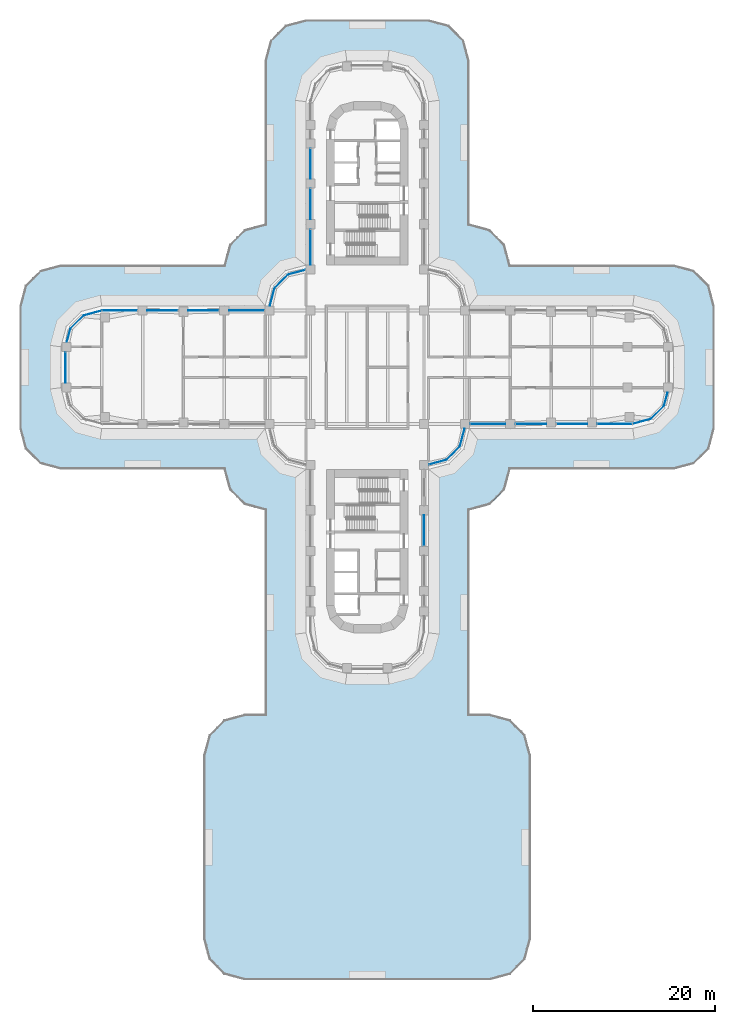
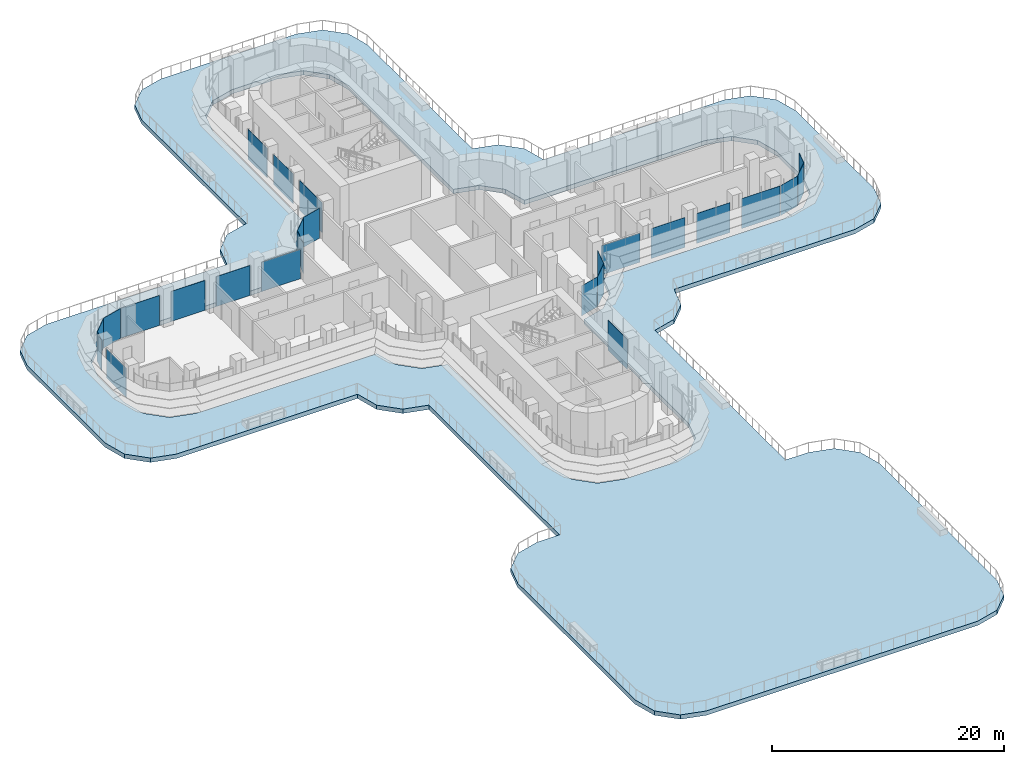
# One storey, part 13 of 26: 25 plates, 1 slab, 17 elements without a shape of their own.
"""IFC4 building model written with IfcOpenShell, lengths in metres."""

from ifc_helpers import new_model, si_unit, direction, frame, origin, place, context, subcontext, project, spatial, polyline, outline, extrude, source, transform, mapped, material, layer, layer_set, type_object, element, aggregate, save


model = new_model("IFC4")

# Units and contexts
model_context = context("Model", 3, precision=1e-05, world=origin(), true_north=direction((0.0, 1.0)))
body_context = subcontext(model_context, "Body", "Model", "MODEL_VIEW")
ifc_project = project(units=[si_unit("LENGTHUNIT", "METRE"), si_unit("AREAUNIT", "SQUARE_METRE"), si_unit("VOLUMEUNIT", "CUBIC_METRE"), si_unit("PLANEANGLEUNIT", "RADIAN"), si_unit("MASSUNIT", "GRAM", prefix="KILO")], contexts=[model_context])

# Site, building, storey
site_placement = place(None, origin())
site = spatial("IfcSite", under=ifc_project, at=site_placement, CompositionType="ELEMENT")
building_placement = place(site_placement, origin())
building = spatial("IfcBuilding", under=site, at=building_placement, Name="Zarbagh Exchange Tower", CompositionType="ELEMENT")
storey_placement = place(building_placement, frame((0.0, 0.0, 27.0)))
storey = spatial("IfcBuildingStorey", under=building, at=storey_placement, Name="L05", CompositionType="ELEMENT", Elevation=27.0)

# Slab
ifc_material_1 = material(Name="Concrete C50/60", Category="concrete")
ifc_layer_1 = layer(ifc_material_1, 0.449951171875)
ifc_layer_set_1 = layer_set([ifc_layer_1], Name="Podium terrace roof slab 450 C50/60")
slab_type = type_object("IfcSlabType", Name="Podium terrace roof slab 450 C50/60", PredefinedType="ROOF", material=ifc_layer_set_1)
slab_placement = place(storey_placement, frame((0.0, 0.0, -0.449951171875)))
element("IfcSlab", 1, at=slab_placement, inside=storey, type_object=slab_type, Name="S8 podium terrace roof slab", PredefinedType="ROOF", context=body_context, shape_type="SweptSolid", body=[
    extrude(outline(polyline([(17.397216796875, -65.25), (15.75, -66.897216796875), (13.5, -67.5), (-13.5, -67.5), (-15.75, -66.897216796875), (-17.397216796875, -65.25), (-18.0, -63.0), (-18.0, -42.75), (-17.397216796875, -40.5), (-15.75, -38.852783203125), (-13.5, -38.25), (-11.25, -38.25), (-11.25, -15.75), (-13.5, -15.147216796875), (-15.147216796875, -13.5), (-15.75, -11.25), (-33.75, -11.25), (-36.0, -10.647216796875), (-37.647216796875, -9.0), (-38.25, -6.75), (-38.25, 6.75), (-37.647216796875, 9.0), (-36.0, 10.647216796875), (-33.75, 11.25), (-15.75, 11.25), (-15.147216796875, 13.5), (-13.5, 15.147216796875), (-11.25, 15.75), (-11.25, 33.75), (-10.647216796875, 36.0), (-9.0, 37.647216796875), (-6.75, 38.25), (6.75, 38.25), (9.0, 37.647216796875), (10.647216796875, 36.0), (11.25, 33.75), (11.25, 15.75), (13.5, 15.147216796875), (15.147216796875, 13.5), (15.75, 11.25), (33.75, 11.25), (36.0, 10.647216796875), (37.647216796875, 9.0), (38.25, 6.75), (38.25, -6.75), (37.647216796875, -9.0), (36.0, -10.647216796875), (33.75, -11.25), (15.75, -11.25), (15.147216796875, -13.5), (13.5, -15.147216796875), (11.25, -15.75), (11.25, -38.25), (13.5, -38.25), (15.75, -38.852783203125), (17.397216796875, -40.5), (18.0, -42.75), (18.0, -63.0), (17.397216796875, -65.25)]), holes=[polyline([(4.512939453125, -33.16943359375), (6.16943359375, -31.512939453125), (6.77490234375, -29.25341796875), (6.77490234375, -11.269287109375), (9.012939453125, -10.66943359375), (10.66943359375, -9.012939453125), (11.269287109375, -6.77490234375), (29.25341796875, -6.77490234375), (31.512939453125, -6.16943359375), (33.16943359375, -4.512939453125), (33.77490234375, -2.25341796875), (33.77490234375, 2.25341796875), (33.16943359375, 4.512939453125), (31.512939453125, 6.16943359375), (29.25341796875, 6.77490234375), (11.269287109375, 6.77490234375), (10.66943359375, 9.012939453125), (9.012939453125, 10.66943359375), (6.77490234375, 11.269287109375), (6.77490234375, 29.25341796875), (6.16943359375, 31.512939453125), (4.512939453125, 33.16943359375), (2.25341796875, 33.77490234375), (-2.25341796875, 33.77490234375), (-4.512939453125, 33.16943359375), (-6.16943359375, 31.512939453125), (-6.77490234375, 29.25341796875), (-6.77490234375, 11.269287109375), (-9.012939453125, 10.66943359375), (-10.66943359375, 9.012939453125), (-11.269287109375, 6.77490234375), (-29.25341796875, 6.77490234375), (-31.512939453125, 6.16943359375), (-33.16943359375, 4.512939453125), (-33.77490234375, 2.25341796875), (-33.77490234375, -2.25341796875), (-33.16943359375, -4.512939453125), (-31.512939453125, -6.16943359375), (-29.25341796875, -6.77490234375), (-11.269287109375, -6.77490234375), (-10.66943359375, -9.012939453125), (-9.012939453125, -10.66943359375), (-6.77490234375, -11.269287109375), (-6.77490234375, -29.25341796875), (-6.16943359375, -31.512939453125), (-4.512939453125, -33.16943359375), (-2.25341796875, -33.77490234375), (2.25341796875, -33.77490234375), (4.512939453125, -33.16943359375)])]), origin(), (0.0, 0.0, 1.0), 0.449951171875),
])

# Curtain wall, plate
ifc_material_2 = material(Name="Anodised aluminium frame and glazing", Category="aluminium")
curtain_wall_type = type_object("IfcCurtainWallType", Name="CWA Ribbon glazing, lower zones", PredefinedType="NOTDEFINED", material=ifc_material_2)
curtain_wall_1_placement = place(storey_placement, origin())
curtain_wall_1 = element("IfcCurtainWall", 2, at=curtain_wall_1_placement, inside=storey, type_object=curtain_wall_type, Name="CWA06 curtain wall", PredefinedType="NOTDEFINED")
ifc_material_3 = material(Name="Low-e double glazed unit, 6+12+6 mm")
ifc_layer_2 = layer(ifc_material_3, 0.028076171875)
ifc_layer_set_2 = layer_set([ifc_layer_2], Name="PAA Glazing panel, Low-e double glazed unit, 6+12+6 mm")
plate_type = type_object("IfcPlateType", Name="PAA Glazing panel, Low-e double glazed unit, 6+12+6 mm", PredefinedType="CURTAIN_PANEL", material=ifc_layer_set_2)
shared_shape_1 = source(origin(), body_context, "Body", "SweptSolid", [
    extrude(outline(polyline([(0.0, -0.013916015625), (2.061279296875, -0.013916015625), (2.061279296875, 0.013916015625), (0.0, 0.013916015625), (0.0, -0.013916015625)])), origin(), (0.0, 0.0, 1.0), 3.14990234375),
])
placement = place(storey_placement, origin())
plate_1 = element("IfcPlate", 3, at=placement, type_object=plate_type, Name="CWA06 glazing panel 1.1", PredefinedType="CURTAIN_PANEL", context=body_context, shape_type="MappedRepresentation", body=[
    mapped(shared_shape_1, transform((8.7412109375, -10.19873046875, 0.0), x_axis=(0.707106781187, 0.707106781187, 0.0), y_axis=(-0.707106781187, 0.707106781187, 0.0), z_axis=(0.0, 0.0, 1.0))),
])
aggregate(curtain_wall_1, [plate_1])

curtain_wall_2_placement = place(storey_placement, origin())
curtain_wall_2 = element("IfcCurtainWall", 4, at=curtain_wall_2_placement, inside=storey, type_object=curtain_wall_type, Name="CWA10 curtain wall", PredefinedType="NOTDEFINED")
plate_2 = element("IfcPlate", 5, at=placement, type_object=plate_type, Name="CWA10 glazing panel 1.1", PredefinedType="CURTAIN_PANEL", context=body_context, shape_type="MappedRepresentation", body=[
    mapped(shared_shape_1, transform((31.2412109375, -5.69873046875, 0.0), x_axis=(0.707106781187, 0.707106781187, 0.0), y_axis=(-0.707106781187, 0.707106781187, 0.0), z_axis=(0.0, 0.0, 1.0))),
])
aggregate(curtain_wall_2, [plate_2])

curtain_wall_3_placement = place(storey_placement, origin())
curtain_wall_3 = element("IfcCurtainWall", 6, at=curtain_wall_3_placement, inside=storey, type_object=curtain_wall_type, Name="CWA30 curtain wall", PredefinedType="NOTDEFINED")
plate_3 = element("IfcPlate", 7, at=placement, type_object=plate_type, Name="CWA30 glazing panel 1.1", PredefinedType="CURTAIN_PANEL", context=body_context, shape_type="MappedRepresentation", body=[
    mapped(shared_shape_1, transform((-8.7412109375, 10.19873046875, 0.0), x_axis=(-0.707106781187, -0.707106781187, 0.0), y_axis=(0.707106781187, -0.707106781187, 0.0), z_axis=(0.0, 0.0, 1.0))),
])
aggregate(curtain_wall_3, [plate_3])

curtain_wall_4_placement = place(storey_placement, origin())
curtain_wall_4 = element("IfcCurtainWall", 8, at=curtain_wall_4_placement, inside=storey, type_object=curtain_wall_type, Name="CWA34 curtain wall", PredefinedType="NOTDEFINED")
plate_4 = element("IfcPlate", 9, at=placement, type_object=plate_type, Name="CWA34 glazing panel 1.1", PredefinedType="CURTAIN_PANEL", context=body_context, shape_type="MappedRepresentation", body=[
    mapped(shared_shape_1, transform((-31.2412109375, 5.69873046875, 0.0), x_axis=(-0.707106781187, -0.707106781187, 0.0), y_axis=(0.707106781187, -0.707106781187, 0.0), z_axis=(0.0, 0.0, 1.0))),
])
aggregate(curtain_wall_4, [plate_4])

curtain_wall_5_placement = place(storey_placement, origin())
curtain_wall_5 = element("IfcCurtainWall", 10, at=curtain_wall_5_placement, inside=storey, type_object=curtain_wall_type, Name="CWA28 curtain wall", PredefinedType="NOTDEFINED")
shared_shape_2 = source(origin(), body_context, "Body", "SweptSolid", [
    extrude(outline(polyline([(0.0, -0.013916015625), (3.260009765625, -0.013916015625), (3.260009765625, 0.013916015625), (0.0, 0.013916015625), (0.0, -0.013916015625)])), origin(), (0.0, 0.0, 1.0), 3.14990234375),
])
plate_5 = element("IfcPlate", 11, at=placement, type_object=plate_type, Name="CWA28 glazing panel 3.1", PredefinedType="CURTAIN_PANEL", context=body_context, shape_type="MappedRepresentation", body=[
    mapped(shared_shape_2, transform((-6.25, 24.050048828125, 0.0), x_axis=(0.0, -1.0, 0.0), y_axis=(1.0, 0.0, 0.0), z_axis=(0.0, 0.0, 1.0))),
])

curtain_wall_6_placement = place(storey_placement, origin())
curtain_wall_6 = element("IfcCurtainWall", 12, at=curtain_wall_6_placement, inside=storey, type_object=curtain_wall_type, Name="CWA04 curtain wall", PredefinedType="NOTDEFINED")
shared_shape_3 = source(origin(), body_context, "Body", "SweptSolid", [
    extrude(outline(polyline([(0.0, -0.013916015625), (3.360107421875, -0.013916015625), (3.360107421875, 0.013916015625), (0.0, 0.013916015625), (0.0, -0.013916015625)])), origin(), (0.0, 0.0, 1.0), 3.14990234375),
])
plate_6 = element("IfcPlate", 13, at=placement, type_object=plate_type, Name="CWA04 glazing panel 4.1", PredefinedType="CURTAIN_PANEL", context=body_context, shape_type="MappedRepresentation", body=[
    mapped(shared_shape_3, transform((6.25, -19.64990234375, 0.0), x_axis=(0.0, 1.0, 0.0), y_axis=(-1.0, 0.0, 0.0), z_axis=(0.0, 0.0, 1.0))),
])
aggregate(curtain_wall_6, [plate_6])

# Curtain wall, plates
curtain_wall_7_placement = place(storey_placement, origin())
curtain_wall_7 = element("IfcCurtainWall", 14, at=curtain_wall_7_placement, inside=storey, type_object=curtain_wall_type, Name="CWA08 curtain wall", PredefinedType="NOTDEFINED")
plate_7 = element("IfcPlate", 15, at=placement, type_object=plate_type, Name="CWA08 glazing panel 2.1", PredefinedType="CURTAIN_PANEL", context=body_context, shape_type="MappedRepresentation", body=[
    mapped(shared_shape_3, transform((16.35009765625, -6.25, 0.0), x_axis=(1.0, 0.0, 0.0), y_axis=(0.0, 1.0, 0.0), z_axis=(0.0, 0.0, 1.0))),
])
plate_8 = element("IfcPlate", 16, at=placement, type_object=plate_type, Name="CWA08 glazing panel 3.1", PredefinedType="CURTAIN_PANEL", context=body_context, shape_type="MappedRepresentation", body=[
    mapped(shared_shape_3, transform((20.85009765625, -6.25, 0.0), x_axis=(1.0, 0.0, 0.0), y_axis=(0.0, 1.0, 0.0), z_axis=(0.0, 0.0, 1.0))),
])

# Plate
plate_9 = element("IfcPlate", 17, at=placement, type_object=plate_type, Name="CWA28 glazing panel 4.1", PredefinedType="CURTAIN_PANEL", context=body_context, shape_type="MappedRepresentation", body=[
    mapped(shared_shape_3, transform((-6.25, 19.64990234375, 0.0), x_axis=(0.0, -1.0, 0.0), y_axis=(1.0, 0.0, 0.0), z_axis=(0.0, 0.0, 1.0))),
])

# Curtain wall, plates
curtain_wall_8_placement = place(storey_placement, origin())
curtain_wall_8 = element("IfcCurtainWall", 18, at=curtain_wall_8_placement, inside=storey, type_object=curtain_wall_type, Name="CWA32 curtain wall", PredefinedType="NOTDEFINED")
plate_10 = element("IfcPlate", 19, at=placement, type_object=plate_type, Name="CWA32 glazing panel 2.1", PredefinedType="CURTAIN_PANEL", context=body_context, shape_type="MappedRepresentation", body=[
    mapped(shared_shape_3, transform((-16.35009765625, 6.25, 0.0), x_axis=(-1.0, 0.0, 0.0), y_axis=(0.0, -1.0, 0.0), z_axis=(0.0, 0.0, 1.0))),
])
plate_11 = element("IfcPlate", 20, at=placement, type_object=plate_type, Name="CWA32 glazing panel 3.1", PredefinedType="CURTAIN_PANEL", context=body_context, shape_type="MappedRepresentation", body=[
    mapped(shared_shape_3, transform((-20.85009765625, 6.25, 0.0), x_axis=(-1.0, 0.0, 0.0), y_axis=(0.0, -1.0, 0.0), z_axis=(0.0, 0.0, 1.0))),
])

# Curtain wall, plate
curtain_wall_9_placement = place(storey_placement, origin())
curtain_wall_9 = element("IfcCurtainWall", 21, at=curtain_wall_9_placement, inside=storey, type_object=curtain_wall_type, Name="CWA05 curtain wall", PredefinedType="NOTDEFINED")
shared_shape_4 = source(origin(), body_context, "Body", "SweptSolid", [
    extrude(outline(polyline([(0.0, -0.013916015625), (1.9599609375, -0.013916015625), (1.9599609375, 0.013916015625), (0.0, 0.013916015625), (0.0, -0.013916015625)])), origin(), (0.0, 0.0, 1.0), 3.14990234375),
])
plate_12 = element("IfcPlate", 22, at=placement, type_object=plate_type, Name="CWA05 glazing panel 1.1", PredefinedType="CURTAIN_PANEL", context=body_context, shape_type="MappedRepresentation", body=[
    mapped(shared_shape_4, transform((6.847900390625, -10.7060546875, 0.0), x_axis=(0.965924289636, 0.258824779902, 0.0), y_axis=(-0.258824779902, 0.965924289636, 0.0), z_axis=(0.0, 0.0, 1.0))),
])
aggregate(curtain_wall_9, [plate_12])

curtain_wall_10_placement = place(storey_placement, origin())
curtain_wall_10 = element("IfcCurtainWall", 23, at=curtain_wall_10_placement, inside=storey, type_object=curtain_wall_type, Name="CWA29 curtain wall", PredefinedType="NOTDEFINED")
plate_13 = element("IfcPlate", 24, at=placement, type_object=plate_type, Name="CWA29 glazing panel 1.1", PredefinedType="CURTAIN_PANEL", context=body_context, shape_type="MappedRepresentation", body=[
    mapped(shared_shape_4, transform((-6.847900390625, 10.7060546875, 0.0), x_axis=(-0.965924289636, -0.258824779902, 0.0), y_axis=(0.258824779902, -0.965924289636, 0.0), z_axis=(0.0, 0.0, 1.0))),
])
aggregate(curtain_wall_10, [plate_13])

curtain_wall_11_placement = place(storey_placement, origin())
curtain_wall_11 = element("IfcCurtainWall", 25, at=curtain_wall_11_placement, inside=storey, type_object=curtain_wall_type, Name="CWA07 curtain wall", PredefinedType="NOTDEFINED")
shared_shape_5 = source(origin(), body_context, "Body", "SweptSolid", [
    extrude(outline(polyline([(0.0, -0.013916015625), (2.02001953125, -0.013916015625), (2.02001953125, 0.013916015625), (0.0, 0.013916015625), (0.0, -0.013916015625)])), origin(), (0.0, 0.0, 1.0), 3.14990234375),
])
plate_14 = element("IfcPlate", 26, at=placement, type_object=plate_type, Name="CWA07 glazing panel 1.1", PredefinedType="CURTAIN_PANEL", context=body_context, shape_type="MappedRepresentation", body=[
    mapped(shared_shape_5, transform((10.19873046875, -8.7412109375, 0.0), x_axis=(0.258824779902, 0.965924289636, 0.0), y_axis=(-0.965924289636, 0.258824779902, 0.0), z_axis=(0.0, 0.0, 1.0))),
])
aggregate(curtain_wall_11, [plate_14])

curtain_wall_12_placement = place(storey_placement, origin())
curtain_wall_12 = element("IfcCurtainWall", 27, at=curtain_wall_12_placement, inside=storey, type_object=curtain_wall_type, Name="CWA31 curtain wall", PredefinedType="NOTDEFINED")
plate_15 = element("IfcPlate", 28, at=placement, type_object=plate_type, Name="CWA31 glazing panel 1.1", PredefinedType="CURTAIN_PANEL", context=body_context, shape_type="MappedRepresentation", body=[
    mapped(shared_shape_5, transform((-10.19873046875, 8.7412109375, 0.0), x_axis=(-0.258824779902, -0.965924289636, 0.0), y_axis=(0.965924289636, -0.258824779902, 0.0), z_axis=(0.0, 0.0, 1.0))),
])
aggregate(curtain_wall_12, [plate_15])

# Plate
shared_shape_6 = source(origin(), body_context, "Body", "SweptSolid", [
    extrude(outline(polyline([(0.0, -0.013916015625), (3.860107421875, -0.013916015625), (3.860107421875, 0.013916015625), (0.0, 0.013916015625), (0.0, -0.013916015625)])), origin(), (0.0, 0.0, 1.0), 3.090087890625),
])
plate_16 = element("IfcPlate", 29, at=placement, type_object=plate_type, Name="CWA08 glazing panel 1.1", PredefinedType="CURTAIN_PANEL", context=body_context, shape_type="MappedRepresentation", body=[
    mapped(shared_shape_6, transform((11.35009765625, -6.25, 0.0), x_axis=(1.0, 0.0, 0.0), y_axis=(0.0, 1.0, 0.0), z_axis=(0.0, 0.0, 1.0))),
])

plate_17 = element("IfcPlate", 30, at=placement, type_object=plate_type, Name="CWA32 glazing panel 1.1", PredefinedType="CURTAIN_PANEL", context=body_context, shape_type="MappedRepresentation", body=[
    mapped(shared_shape_6, transform((-11.35009765625, 6.25, 0.0), x_axis=(-1.0, 0.0, 0.0), y_axis=(0.0, -1.0, 0.0), z_axis=(0.0, 0.0, 1.0))),
])

shared_shape_7 = source(origin(), body_context, "Body", "SweptSolid", [
    extrude(outline(polyline([(0.0, -0.013916015625), (3.833984375, -0.013916015625), (3.833984375, 0.013916015625), (0.0, 0.013916015625), (0.0, -0.013916015625)])), origin(), (0.0, 0.0, 1.0), 3.14990234375),
])
plate_18 = element("IfcPlate", 31, at=placement, type_object=plate_type, Name="CWA08 glazing panel 4.1", PredefinedType="CURTAIN_PANEL", context=body_context, shape_type="MappedRepresentation", body=[
    mapped(shared_shape_7, transform((25.35009765625, -6.25, 0.0), x_axis=(1.0, 0.0, 0.0), y_axis=(0.0, 1.0, 0.0), z_axis=(0.0, 0.0, 1.0))),
])

aggregate(curtain_wall_7, [plate_16, plate_7, plate_8, plate_18])

plate_19 = element("IfcPlate", 32, at=placement, type_object=plate_type, Name="CWA32 glazing panel 4.1", PredefinedType="CURTAIN_PANEL", context=body_context, shape_type="MappedRepresentation", body=[
    mapped(shared_shape_7, transform((-25.35009765625, 6.25, 0.0), x_axis=(-1.0, 0.0, 0.0), y_axis=(0.0, -1.0, 0.0), z_axis=(0.0, 0.0, 1.0))),
])

aggregate(curtain_wall_8, [plate_17, plate_10, plate_11, plate_19])

# Curtain wall, plate
curtain_wall_13_placement = place(storey_placement, origin())
curtain_wall_13 = element("IfcCurtainWall", 33, at=curtain_wall_13_placement, inside=storey, type_object=curtain_wall_type, Name="CWA09 curtain wall", PredefinedType="NOTDEFINED")
shared_shape_8 = source(origin(), body_context, "Body", "SweptSolid", [
    extrude(outline(polyline([(0.0, -0.013916015625), (2.069580078125, -0.013916015625), (2.069580078125, 0.013916015625), (0.0, 0.013916015625), (0.0, -0.013916015625)])), origin(), (0.0, 0.0, 1.0), 3.14990234375),
])
plate_20 = element("IfcPlate", 34, at=placement, type_object=plate_type, Name="CWA09 glazing panel 1.1", PredefinedType="CURTAIN_PANEL", context=body_context, shape_type="MappedRepresentation", body=[
    mapped(shared_shape_8, transform((29.2421875, -6.234375, 0.0), x_axis=(0.965924289636, 0.258824779902, 0.0), y_axis=(-0.258824779902, 0.965924289636, 0.0), z_axis=(0.0, 0.0, 1.0))),
])
aggregate(curtain_wall_13, [plate_20])

curtain_wall_14_placement = place(storey_placement, origin())
curtain_wall_14 = element("IfcCurtainWall", 35, at=curtain_wall_14_placement, inside=storey, type_object=curtain_wall_type, Name="CWA33 curtain wall", PredefinedType="NOTDEFINED")
plate_21 = element("IfcPlate", 36, at=placement, type_object=plate_type, Name="CWA33 glazing panel 1.1", PredefinedType="CURTAIN_PANEL", context=body_context, shape_type="MappedRepresentation", body=[
    mapped(shared_shape_8, transform((-29.2421875, 6.234375, 0.0), x_axis=(-0.965924289636, -0.258824779902, 0.0), y_axis=(0.258824779902, -0.965924289636, 0.0), z_axis=(0.0, 0.0, 1.0))),
])
aggregate(curtain_wall_14, [plate_21])

curtain_wall_15_placement = place(storey_placement, origin())
curtain_wall_15 = element("IfcCurtainWall", 37, at=curtain_wall_15_placement, inside=storey, type_object=curtain_wall_type, Name="CWA11 curtain wall", PredefinedType="NOTDEFINED")
shared_shape_9 = source(origin(), body_context, "Body", "SweptSolid", [
    extrude(outline(polyline([(0.0, -0.013916015625), (1.50244140625, -0.013916015625), (1.50244140625, 0.013916015625), (0.0, 0.013916015625), (0.0, -0.013916015625)])), origin(), (0.0, 0.0, 1.0), 3.14990234375),
])
plate_22 = element("IfcPlate", 38, at=placement, type_object=plate_type, Name="CWA11 glazing panel 1.1", PredefinedType="CURTAIN_PANEL", context=body_context, shape_type="MappedRepresentation", body=[
    mapped(shared_shape_9, transform((32.69873046875, -4.2412109375, 0.0), x_axis=(0.258824779902, 0.965924289636, 0.0), y_axis=(-0.965924289636, 0.258824779902, 0.0), z_axis=(0.0, 0.0, 1.0))),
])
aggregate(curtain_wall_15, [plate_22])

curtain_wall_16_placement = place(storey_placement, origin())
curtain_wall_16 = element("IfcCurtainWall", 39, at=curtain_wall_16_placement, inside=storey, type_object=curtain_wall_type, Name="CWA35 curtain wall", PredefinedType="NOTDEFINED")
plate_23 = element("IfcPlate", 40, at=placement, type_object=plate_type, Name="CWA35 glazing panel 1.1", PredefinedType="CURTAIN_PANEL", context=body_context, shape_type="MappedRepresentation", body=[
    mapped(shared_shape_9, transform((-32.69873046875, 4.2412109375, 0.0), x_axis=(-0.258824779902, -0.965924289636, 0.0), y_axis=(0.965924289636, -0.258824779902, 0.0), z_axis=(0.0, 0.0, 1.0))),
])
aggregate(curtain_wall_16, [plate_23])

curtain_wall_17_placement = place(storey_placement, origin())
curtain_wall_17 = element("IfcCurtainWall", 41, at=curtain_wall_17_placement, inside=storey, type_object=curtain_wall_type, Name="CWA36 curtain wall", PredefinedType="NOTDEFINED")
shared_shape_10 = source(origin(), body_context, "Body", "SweptSolid", [
    extrude(outline(polyline([(0.0, -0.013916015625), (3.360107421875, -0.013916015625), (3.360107421875, 0.013916015625), (0.0, 0.013916015625), (0.0, -0.013916015625)])), origin(), (0.0, 0.0, 1.0), 3.090087890625),
])
plate_24 = element("IfcPlate", 42, at=placement, type_object=plate_type, Name="CWA36 glazing panel 1.1", PredefinedType="CURTAIN_PANEL", context=body_context, shape_type="MappedRepresentation", body=[
    mapped(shared_shape_10, transform((-33.25, 1.64990234375, 0.0), x_axis=(0.0, -1.0, 0.0), y_axis=(1.0, 0.0, 0.0), z_axis=(0.0, 0.0, 1.0))),
])
aggregate(curtain_wall_17, [plate_24])

# Plate
shared_shape_11 = source(origin(), body_context, "Body", "SweptSolid", [
    extrude(outline(polyline([(0.0, -0.013916015625), (3.860107421875, -0.013916015625), (3.860107421875, 0.013916015625), (0.0, 0.013916015625), (0.0, -0.013916015625)])), origin(), (0.0, 0.0, 1.0), 3.14990234375),
])
plate_25 = element("IfcPlate", 43, at=placement, type_object=plate_type, Name="CWA28 glazing panel 5.1", PredefinedType="CURTAIN_PANEL", context=body_context, shape_type="MappedRepresentation", body=[
    mapped(shared_shape_11, transform((-6.25, 15.14990234375, 0.0), x_axis=(0.0, -1.0, 0.0), y_axis=(1.0, 0.0, 0.0), z_axis=(0.0, 0.0, 1.0))),
])

aggregate(curtain_wall_5, [plate_5, plate_9, plate_25])

save(model, "model.ifc")
